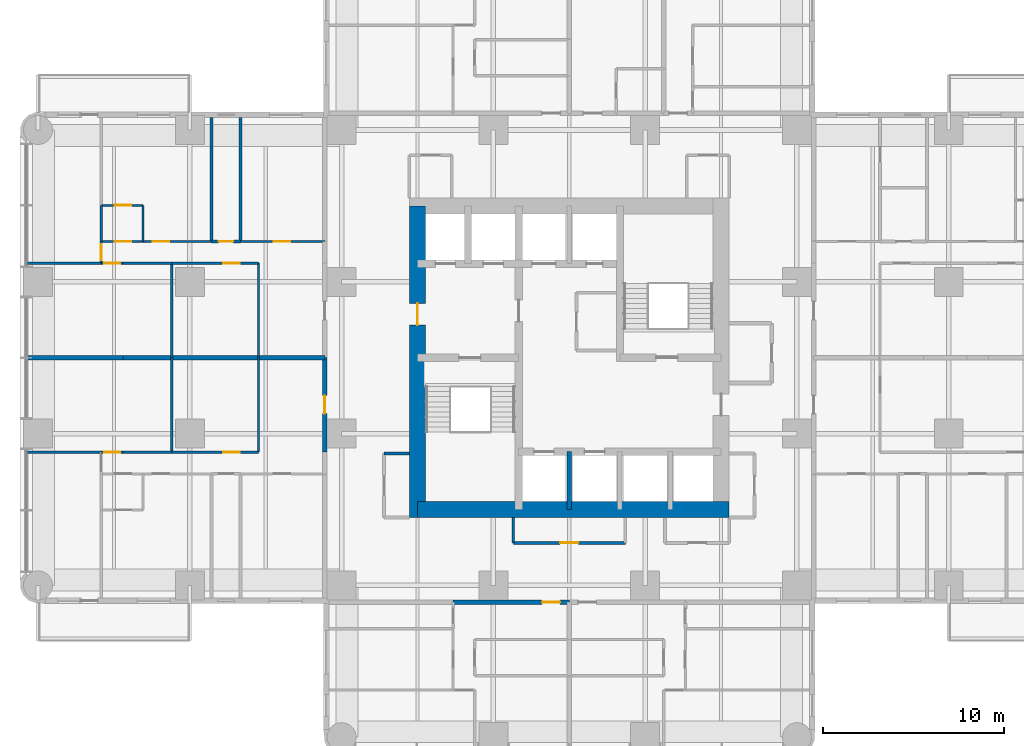
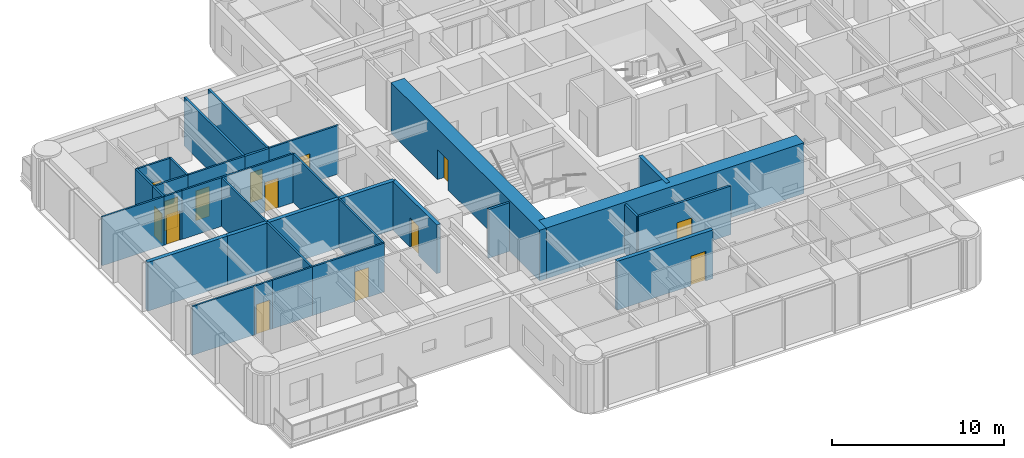
# One storey, part 7 of 15: 34 walls, 14 doors, 14 openings.
"""IFC4 building model written with IfcOpenShell, lengths in metres."""

from ifc_helpers import new_model, si_unit, direction, frame, frame_2d, origin, place, context, subcontext, project, spatial, rectangle, extrude, material, layer, layer_set, type_object, element, fill, save


model = new_model("IFC4")

# Units and contexts
model_context = context("Model", 3, precision=1e-05, world=origin(), true_north=direction((0.0, 1.0)))
body_context = subcontext(model_context, "Body", "Model", "MODEL_VIEW")
ifc_project = project(units=[si_unit("LENGTHUNIT", "METRE"), si_unit("AREAUNIT", "SQUARE_METRE"), si_unit("VOLUMEUNIT", "CUBIC_METRE"), si_unit("PLANEANGLEUNIT", "RADIAN"), si_unit("MASSUNIT", "GRAM", prefix="KILO")], contexts=[model_context])

# Site, building, storey
site_placement = place(None, origin())
site = spatial("IfcSite", under=ifc_project, at=site_placement, CompositionType="ELEMENT")
building_placement = place(site_placement, origin())
building = spatial("IfcBuilding", under=site, at=building_placement, Name="Torre Alcanfor", CompositionType="ELEMENT")
storey_placement = place(building_placement, frame((0.0, 0.0, 144.89990234375)))
storey = spatial("IfcBuildingStorey", under=building, at=storey_placement, Name="L37", CompositionType="ELEMENT", Elevation=144.89990234375)

# Wall, opening, door
ifc_material_1 = material(Name="Concrete block masonry, hollow blocks NMX-C-404 9 MPa", Category="masonry")
ifc_layer_1 = layer(ifc_material_1, 0.25)
ifc_layer_set_1 = layer_set([ifc_layer_1], Name="Apartment entrance wall 250 EI 60")
wall_type_1 = type_object("IfcWallType", Name="Apartment entrance wall 250 EI 60", PredefinedType="PARTITIONING", material=ifc_layer_set_1)
wall_1_placement = place(storey_placement, frame((29.39990234375, 15.875, 0.0), z_axis=(0.0, 0.0, 1.0), x_axis=(-1.0, 0.0, 0.0)))
wall_1 = element("IfcWall", 1, at=wall_1_placement, inside=storey, type_object=wall_type_1, Name="Partition L37-CORR / L37-S2-LIVING", PredefinedType="PARTITIONING", context=body_context, shape_type="SweptSolid", body=[
    extrude(rectangle(XDim=6.428955078125, YDim=0.25, at=frame_2d((3.21435546875, 0.0))), origin(), (0.0, 0.0, 1.0), 3.4501953125),
])
opening_1_placement = place(wall_1_placement, frame((0.5, 0.0, 0.0)))
opening_1 = element("IfcOpeningElement", 2, at=opening_1_placement, cuts=wall_1, Name="Opening D-A1", PredefinedType="OPENING", context=body_context, shape_type="SweptSolid", body=[
    extrude(rectangle(XDim=1.0, YDim=2.10009765625, at=frame_2d((0.5, 1.050048828125))), frame((0.0, 0.135009765625, 0.0), z_axis=(0.0, -1.0, 0.0), x_axis=(1.0, 0.0, 0.0)), (0.0, 0.0, 1.0), 0.27001953125),
])
ifc_material_2 = material(Name="Galvanised steel sheet ASTM A653", Category="steel")
door_type_1 = type_object("IfcDoorType", Name="Apartment entrance door FD60 1000x2100", OperationType="SINGLE_SWING_LEFT", PredefinedType="DOOR", material=ifc_material_2)
door_1_placement = place(opening_1_placement, origin())
door_1 = element("IfcDoor", 3, at=door_1_placement, inside=storey, type_object=door_type_1, Name="Apartment entrance L37-S2", OperationType="SINGLE_SWING_LEFT", OverallHeight=2.10009765625, OverallWidth=1.0, PredefinedType="DOOR", context=body_context, shape_type="SweptSolid", body=[
    extrude(rectangle(XDim=1.0, YDim=2.10009765625, at=frame_2d((0.5, 1.050048828125))), frame((0.0, 0.02490234375, 0.0), z_axis=(0.0, -1.0, 0.0), x_axis=(1.0, 0.0, 0.0)), (0.0, 0.0, 1.0), 0.050048828125),
])
fill(opening_1, door_1)

wall_2_placement = place(storey_placement, frame((15.875, 24.1708984375, 0.0), z_axis=(0.0, 0.0, 1.0), x_axis=(0.0, 1.0, 0.0)))
wall_2 = element("IfcWall", 4, at=wall_2_placement, inside=storey, type_object=wall_type_1, Name="Partition L37-CORR / L37-W1-ZAG", PredefinedType="PARTITIONING", context=body_context, shape_type="SweptSolid", body=[
    extrude(rectangle(XDim=5.22900390625, YDim=0.25, at=frame_2d((2.614501953125, 0.0))), origin(), (0.0, 0.0, 1.0), 3.4501953125),
])
opening_2_placement = place(wall_2_placement, frame((2.12890625, 0.0, 0.0)))
opening_2 = element("IfcOpeningElement", 5, at=opening_2_placement, cuts=wall_2, Name="Opening D-A1", PredefinedType="OPENING", context=body_context, shape_type="SweptSolid", body=[
    extrude(rectangle(XDim=1.0, YDim=2.10009765625, at=frame_2d((0.5, 1.050048828125))), frame((0.0, 0.135009765625, 0.0), z_axis=(0.0, -1.0, 0.0), x_axis=(1.0, 0.0, 0.0)), (0.0, 0.0, 1.0), 0.27001953125),
])
door_2_placement = place(opening_2_placement, origin())
door_2 = element("IfcDoor", 6, at=door_2_placement, inside=storey, type_object=door_type_1, Name="Apartment entrance L37-W1", OperationType="SINGLE_SWING_RIGHT", OverallHeight=2.10009765625, OverallWidth=1.0, PredefinedType="DOOR", context=body_context, shape_type="SweptSolid", body=[
    extrude(rectangle(XDim=1.0, YDim=2.10009765625, at=frame_2d((0.5, 1.050048828125))), frame((0.0, 0.02490234375, 0.0), z_axis=(0.0, -1.0, 0.0), x_axis=(1.0, 0.0, 0.0)), (0.0, 0.0, 1.0), 0.050048828125),
])
fill(opening_2, door_2)

# Walls
ifc_material_3 = material(Name="Gypsum board on steel studs", Category="steel")
ifc_layer_2 = layer(ifc_material_3, 0.1201171875)
ifc_layer_set_2 = layer_set([ifc_layer_2], Name="Apartment partition 120")
wall_type_2 = type_object("IfcWallType", Name="Apartment partition 120", PredefinedType="PARTITIONING", material=ifc_layer_set_2)
for number, where, z_axis, x_axis, name in (
    (7, (12.199951171875, 29.39990234375, 0.0), (0.0, 0.0, 1.0), (0.0, -1.0, 0.0), "Partition L37-W1-ZAG / L37-W1-FAMILY"),
    (8, (7.39990234375, 29.39990234375, 0.0), (0.0, 0.0, 1.0), (0.0, -1.0, 0.0), "Partition L37-W1-FAMILY / L37-W1-KITCHEN"),
):
    element("IfcWall", number, at=place(storey_placement, frame(where, z_axis=z_axis, x_axis=x_axis)), inside=storey, type_object=wall_type_2, Name=name, PredefinedType="PARTITIONING", context=body_context, shape_type="SweptSolid", body=[
        extrude(rectangle(XDim=5.22900390625, YDim=0.1201171875, at=frame_2d((2.614501953125, 0.0))), origin(), (0.0, 0.0, 1.0), 3.4501953125),
    ])

# Wall, opening, door
wall_3_placement = place(storey_placement, frame((7.39990234375, 24.1708984375, 0.0), z_axis=(0.0, 0.0, 1.0), x_axis=(1.0, 0.0, 0.0)))
wall_3 = element("IfcWall", 9, at=wall_3_placement, inside=storey, type_object=wall_type_2, Name="Partition L37-W1-FAMILY / L37-W1-HALL", PredefinedType="PARTITIONING", context=body_context, shape_type="SweptSolid", body=[
    extrude(rectangle(XDim=4.800048828125, YDim=0.1201171875, at=frame_2d((2.39990234375, 0.0))), origin(), (0.0, 0.0, 1.0), 3.4501953125),
])
opening_3_placement = place(wall_3_placement, frame((2.85009765625, 0.0, 0.0)))
opening_3 = element("IfcOpeningElement", 10, at=opening_3_placement, cuts=wall_3, Name="Opening D-R1", PredefinedType="OPENING", context=body_context, shape_type="SweptSolid", body=[
    extrude(rectangle(XDim=0.89990234375, YDim=2.10009765625, at=frame_2d((0.449951171875, 1.050048828125))), frame((0.0, 0.070068359375, 0.0), z_axis=(0.0, -1.0, 0.0), x_axis=(1.0, 0.0, 0.0)), (0.0, 0.0, 1.0), 0.14013671875),
])
ifc_material_4 = material(Name="Timber", Category="wood")
door_type_2 = type_object("IfcDoorType", Name="Internal door 900x2100", OperationType="SINGLE_SWING_LEFT", PredefinedType="DOOR", material=ifc_material_4)
door_3_placement = place(opening_3_placement, origin())
door_3 = element("IfcDoor", 11, at=door_3_placement, inside=storey, type_object=door_type_2, Name="Door L37-W1 family", OperationType="SINGLE_SWING_RIGHT", OverallHeight=2.10009765625, OverallWidth=0.89990234375, PredefinedType="DOOR", context=body_context, shape_type="SweptSolid", body=[
    extrude(rectangle(XDim=0.89990234375, YDim=2.10009765625, at=frame_2d((0.449951171875, 1.050048828125))), frame((0.0, 0.02490234375, 0.0), z_axis=(0.0, -1.0, 0.0), x_axis=(1.0, 0.0, 0.0)), (0.0, 0.0, 1.0), 0.050048828125),
])
fill(opening_3, door_3)

# Wall
wall_4_placement = place(storey_placement, frame((4.699951171875, 24.1708984375, 0.0), z_axis=(0.0, 0.0, 1.0), x_axis=(1.0, 0.0, 0.0)))
element("IfcWall", 12, at=wall_4_placement, inside=storey, type_object=wall_type_2, Name="Partition L37-W1-KITCHEN / L37-W1-HALL", PredefinedType="PARTITIONING", context=body_context, shape_type="SweptSolid", body=[
    extrude(rectangle(XDim=2.699951171875, YDim=0.1201171875, at=frame_2d((1.35009765625, 0.0))), origin(), (0.0, 0.0, 1.0), 3.4501953125),
])

# Wall, opening, door
wall_5_placement = place(storey_placement, frame((3.5, 24.1708984375, 0.0), z_axis=(0.0, 0.0, 1.0), x_axis=(1.0, 0.0, 0.0)))
wall_5 = element("IfcWall", 13, at=wall_5_placement, inside=storey, type_object=wall_type_2, Name="Partition L37-W1-LIVING / L37-W1-HALL", PredefinedType="PARTITIONING", context=body_context, shape_type="SweptSolid", body=[
    extrude(rectangle(XDim=1.199951171875, YDim=0.1201171875, at=frame_2d((0.60009765625, 0.0))), origin(), (0.0, 0.0, 1.0), 3.4501953125),
])
opening_4_placement = place(wall_5_placement, frame((0.14990234375, 0.0, 0.0)))
opening_4 = element("IfcOpeningElement", 14, at=opening_4_placement, cuts=wall_5, Name="Opening D-R1", PredefinedType="OPENING", context=body_context, shape_type="SweptSolid", body=[
    extrude(rectangle(XDim=0.89990234375, YDim=2.10009765625, at=frame_2d((0.449951171875, 1.050048828125))), frame((0.0, 0.070068359375, 0.0), z_axis=(0.0, -1.0, 0.0), x_axis=(1.0, 0.0, 0.0)), (0.0, 0.0, 1.0), 0.14013671875),
])
door_4_placement = place(opening_4_placement, origin())
door_4 = element("IfcDoor", 15, at=door_4_placement, inside=storey, type_object=door_type_2, Name="Door L37-W1 living", OperationType="SINGLE_SWING_RIGHT", OverallHeight=2.10009765625, OverallWidth=0.89990234375, PredefinedType="DOOR", context=body_context, shape_type="SweptSolid", body=[
    extrude(rectangle(XDim=0.89990234375, YDim=2.10009765625, at=frame_2d((0.449951171875, 1.050048828125))), frame((0.0, 0.02490234375, 0.0), z_axis=(0.0, -1.0, 0.0), x_axis=(1.0, 0.0, 0.0)), (0.0, 0.0, 1.0), 0.050048828125),
])
fill(opening_4, door_4)

# Walls
wall_6_placement = place(storey_placement, frame((-0.64990234375, 24.1708984375, 0.0), z_axis=(0.0, 0.0, 1.0), x_axis=(1.0, 0.0, 0.0)))
element("IfcWall", 16, at=wall_6_placement, inside=storey, type_object=wall_type_2, Name="Partition L37-W1-LIVING / L37-W1-WGARD", PredefinedType="PARTITIONING", context=body_context, shape_type="SweptSolid", body=[
    extrude(rectangle(XDim=4.14990234375, YDim=0.1201171875, at=frame_2d((2.074951171875, 0.0))), origin(), (0.0, 0.0, 1.0), 3.4501953125),
])
for number, where, z_axis, x_axis, name in (
    (17, (12.199951171875, 29.39990234375, 0.0), (0.0, 0.0, 1.0), (0.0, 1.0, 0.0), "Partition L37-W2-ZAG / L37-W2-FAMILY"),
    (18, (7.39990234375, 29.39990234375, 0.0), (0.0, 0.0, 1.0), (0.0, 1.0, 0.0), "Partition L37-W2-FAMILY / L37-W2-KITCHEN"),
):
    element("IfcWall", number, at=place(storey_placement, frame(where, z_axis=z_axis, x_axis=x_axis)), inside=storey, type_object=wall_type_2, Name=name, PredefinedType="PARTITIONING", context=body_context, shape_type="SweptSolid", body=[
        extrude(rectangle(XDim=5.22900390625, YDim=0.1201171875, at=frame_2d((2.614501953125, 0.0))), origin(), (0.0, 0.0, 1.0), 3.4501953125),
    ])

# Wall, opening, door
wall_7_placement = place(storey_placement, frame((7.39990234375, 34.62890625, 0.0), z_axis=(0.0, 0.0, 1.0), x_axis=(1.0, 0.0, 0.0)))
wall_7 = element("IfcWall", 19, at=wall_7_placement, inside=storey, type_object=wall_type_2, Name="Partition L37-W2-FAMILY / L37-W2-HALL", PredefinedType="PARTITIONING", context=body_context, shape_type="SweptSolid", body=[
    extrude(rectangle(XDim=4.800048828125, YDim=0.1201171875, at=frame_2d((2.39990234375, 0.0))), origin(), (0.0, 0.0, 1.0), 3.4501953125),
])
opening_5_placement = place(wall_7_placement, frame((2.85009765625, 0.0, 0.0)))
opening_5 = element("IfcOpeningElement", 20, at=opening_5_placement, cuts=wall_7, Name="Opening D-R1", PredefinedType="OPENING", context=body_context, shape_type="SweptSolid", body=[
    extrude(rectangle(XDim=0.89990234375, YDim=2.10009765625, at=frame_2d((0.449951171875, 1.050048828125))), frame((0.0, 0.070068359375, 0.0), z_axis=(0.0, -1.0, 0.0), x_axis=(1.0, 0.0, 0.0)), (0.0, 0.0, 1.0), 0.14013671875),
])
door_5_placement = place(opening_5_placement, frame((0.89990234375, 0.0, 0.0), z_axis=(0.0, 0.0, 1.0), x_axis=(-1.0, 0.0, 0.0)))
door_5 = element("IfcDoor", 21, at=door_5_placement, inside=storey, type_object=door_type_2, Name="Door L37-W2 family", OperationType="SINGLE_SWING_LEFT", OverallHeight=2.10009765625, OverallWidth=0.89990234375, PredefinedType="DOOR", context=body_context, shape_type="SweptSolid", body=[
    extrude(rectangle(XDim=0.89990234375, YDim=2.10009765625, at=frame_2d((0.449951171875, 1.050048828125))), frame((0.0, 0.025146484375, 0.0), z_axis=(0.0, -1.0, 0.0), x_axis=(1.0, 0.0, 0.0)), (0.0, 0.0, 1.0), 0.050048828125),
])
fill(opening_5, door_5)

# Wall
wall_8_placement = place(storey_placement, frame((4.699951171875, 34.62890625, 0.0), z_axis=(0.0, 0.0, 1.0), x_axis=(1.0, 0.0, 0.0)))
element("IfcWall", 22, at=wall_8_placement, inside=storey, type_object=wall_type_2, Name="Partition L37-W2-KITCHEN / L37-W2-HALL", PredefinedType="PARTITIONING", context=body_context, shape_type="SweptSolid", body=[
    extrude(rectangle(XDim=2.699951171875, YDim=0.1201171875, at=frame_2d((1.35009765625, 0.0))), origin(), (0.0, 0.0, 1.0), 3.4501953125),
])

# Wall, opening, door
wall_9_placement = place(storey_placement, frame((3.5, 34.62890625, 0.0), z_axis=(0.0, 0.0, 1.0), x_axis=(1.0, 0.0, 0.0)))
wall_9 = element("IfcWall", 23, at=wall_9_placement, inside=storey, type_object=wall_type_2, Name="Partition L37-W2-LIVING / L37-W2-HALL", PredefinedType="PARTITIONING", context=body_context, shape_type="SweptSolid", body=[
    extrude(rectangle(XDim=1.199951171875, YDim=0.1201171875, at=frame_2d((0.60009765625, 0.0))), origin(), (0.0, 0.0, 1.0), 3.4501953125),
])
opening_6_placement = place(wall_9_placement, frame((0.14990234375, 0.0, 0.0)))
opening_6 = element("IfcOpeningElement", 24, at=opening_6_placement, cuts=wall_9, Name="Opening D-R1", PredefinedType="OPENING", context=body_context, shape_type="SweptSolid", body=[
    extrude(rectangle(XDim=0.89990234375, YDim=2.10009765625, at=frame_2d((0.449951171875, 1.050048828125))), frame((0.0, 0.070068359375, 0.0), z_axis=(0.0, -1.0, 0.0), x_axis=(1.0, 0.0, 0.0)), (0.0, 0.0, 1.0), 0.14013671875),
])
door_6_placement = place(opening_6_placement, frame((0.89990234375, 0.0, 0.0), z_axis=(0.0, 0.0, 1.0), x_axis=(-1.0, 0.0, 0.0)))
door_6 = element("IfcDoor", 25, at=door_6_placement, inside=storey, type_object=door_type_2, Name="Door L37-W2 living", OperationType="SINGLE_SWING_LEFT", OverallHeight=2.10009765625, OverallWidth=0.89990234375, PredefinedType="DOOR", context=body_context, shape_type="SweptSolid", body=[
    extrude(rectangle(XDim=0.89990234375, YDim=2.10009765625, at=frame_2d((0.449951171875, 1.050048828125))), frame((0.0, 0.025146484375, 0.0), z_axis=(0.0, -1.0, 0.0), x_axis=(1.0, 0.0, 0.0)), (0.0, 0.0, 1.0), 0.050048828125),
])
fill(opening_6, door_6)

# Wall
wall_10_placement = place(storey_placement, frame((-0.64990234375, 34.62890625, 0.0), z_axis=(0.0, 0.0, 1.0), x_axis=(1.0, 0.0, 0.0)))
element("IfcWall", 26, at=wall_10_placement, inside=storey, type_object=wall_type_2, Name="Partition L37-W2-LIVING / L37-W2-WGARD", PredefinedType="PARTITIONING", context=body_context, shape_type="SweptSolid", body=[
    extrude(rectangle(XDim=4.14990234375, YDim=0.1201171875, at=frame_2d((2.074951171875, 0.0))), origin(), (0.0, 0.0, 1.0), 3.4501953125),
])

# Wall, opening, door
wall_11_placement = place(storey_placement, frame((11.199951171875, 35.8291015625, 0.0), z_axis=(0.0, 0.0, 1.0), x_axis=(1.0, 0.0, 0.0)))
wall_11 = element("IfcWall", 27, at=wall_11_placement, inside=storey, type_object=wall_type_2, Name="Partition L37-W2-HALL / L37-W2-BED2", PredefinedType="PARTITIONING", context=body_context, shape_type="SweptSolid", body=[
    extrude(rectangle(XDim=4.675048828125, YDim=0.1201171875, at=frame_2d((2.33740234375, 0.0))), origin(), (0.0, 0.0, 1.0), 3.4501953125),
])
opening_7_placement = place(wall_11_placement, frame((1.85009765625, 0.0, 0.0)))
opening_7 = element("IfcOpeningElement", 28, at=opening_7_placement, cuts=wall_11, Name="Opening D-R1", PredefinedType="OPENING", context=body_context, shape_type="SweptSolid", body=[
    extrude(rectangle(XDim=0.89990234375, YDim=2.10009765625, at=frame_2d((0.449951171875, 1.050048828125))), frame((0.0, 0.070068359375, 0.0), z_axis=(0.0, -1.0, 0.0), x_axis=(1.0, 0.0, 0.0)), (0.0, 0.0, 1.0), 0.14013671875),
])
door_7_placement = place(opening_7_placement, origin())
door_7 = element("IfcDoor", 29, at=door_7_placement, inside=storey, type_object=door_type_2, Name="Door L37-W2 bed2", OperationType="SINGLE_SWING_LEFT", OverallHeight=2.10009765625, OverallWidth=0.89990234375, PredefinedType="DOOR", context=body_context, shape_type="SweptSolid", body=[
    extrude(rectangle(XDim=0.89990234375, YDim=2.10009765625, at=frame_2d((0.449951171875, 1.050048828125))), frame((0.0, 0.02490234375, 0.0), z_axis=(0.0, -1.0, 0.0), x_axis=(1.0, 0.0, 0.0)), (0.0, 0.0, 1.0), 0.050048828125),
])
fill(opening_7, door_7)

wall_12_placement = place(storey_placement, frame((5.800048828125, 35.8291015625, 0.0), z_axis=(0.0, 0.0, 1.0), x_axis=(1.0, 0.0, 0.0)))
wall_12 = element("IfcWall", 30, at=wall_12_placement, inside=storey, type_object=wall_type_2, Name="Partition L37-W2-HALL / L37-W2-MASTER", PredefinedType="PARTITIONING", context=body_context, shape_type="SweptSolid", body=[
    extrude(rectangle(XDim=3.800048828125, YDim=0.1201171875, at=frame_2d((1.89990234375, 0.0))), origin(), (0.0, 0.0, 1.0), 3.4501953125),
])
opening_8_placement = place(wall_12_placement, frame((0.550048828125, 0.0, 0.0)))
opening_8 = element("IfcOpeningElement", 31, at=opening_8_placement, cuts=wall_12, Name="Opening D-R1", PredefinedType="OPENING", context=body_context, shape_type="SweptSolid", body=[
    extrude(rectangle(XDim=0.89990234375, YDim=2.10009765625, at=frame_2d((0.449951171875, 1.050048828125))), frame((0.0, 0.070068359375, 0.0), z_axis=(0.0, -1.0, 0.0), x_axis=(1.0, 0.0, 0.0)), (0.0, 0.0, 1.0), 0.14013671875),
])
door_8_placement = place(opening_8_placement, origin())
door_8 = element("IfcDoor", 32, at=door_8_placement, inside=storey, type_object=door_type_2, Name="Door L37-W2 master", OperationType="SINGLE_SWING_LEFT", OverallHeight=2.10009765625, OverallWidth=0.89990234375, PredefinedType="DOOR", context=body_context, shape_type="SweptSolid", body=[
    extrude(rectangle(XDim=0.89990234375, YDim=2.10009765625, at=frame_2d((0.449951171875, 1.050048828125))), frame((0.0, 0.02490234375, 0.0), z_axis=(0.0, -1.0, 0.0), x_axis=(1.0, 0.0, 0.0)), (0.0, 0.0, 1.0), 0.050048828125),
])
fill(opening_8, door_8)

wall_13_placement = place(storey_placement, frame((3.5, 35.8291015625, 0.0), z_axis=(0.0, 0.0, 1.0), x_axis=(1.0, 0.0, 0.0)))
wall_13 = element("IfcWall", 33, at=wall_13_placement, inside=storey, type_object=wall_type_2, Name="Partition L37-W2-HALL / L37-W2-VEST", PredefinedType="PARTITIONING", context=body_context, shape_type="SweptSolid", body=[
    extrude(rectangle(XDim=2.300048828125, YDim=0.1201171875, at=frame_2d((1.14990234375, 0.0))), origin(), (0.0, 0.0, 1.0), 3.4501953125),
])
opening_9_placement = place(wall_13_placement, frame((0.75, 0.0, 0.0)))
opening_9 = element("IfcOpeningElement", 34, at=opening_9_placement, cuts=wall_13, Name="Opening D-R1", PredefinedType="OPENING", context=body_context, shape_type="SweptSolid", body=[
    extrude(rectangle(XDim=0.89990234375, YDim=2.10009765625, at=frame_2d((0.449951171875, 1.050048828125))), frame((0.0, 0.070068359375, 0.0), z_axis=(0.0, -1.0, 0.0), x_axis=(1.0, 0.0, 0.0)), (0.0, 0.0, 1.0), 0.14013671875),
])
door_9_placement = place(opening_9_placement, origin())
door_9 = element("IfcDoor", 35, at=door_9_placement, inside=storey, type_object=door_type_2, Name="Door L37-W2 vest", OperationType="SINGLE_SWING_RIGHT", OverallHeight=2.10009765625, OverallWidth=0.89990234375, PredefinedType="DOOR", context=body_context, shape_type="SweptSolid", body=[
    extrude(rectangle(XDim=0.89990234375, YDim=2.10009765625, at=frame_2d((0.449951171875, 1.050048828125))), frame((0.0, 0.02490234375, 0.0), z_axis=(0.0, -1.0, 0.0), x_axis=(1.0, 0.0, 0.0)), (0.0, 0.0, 1.0), 0.050048828125),
])
fill(opening_9, door_9)

wall_14_placement = place(storey_placement, frame((3.5, 34.62890625, 0.0), z_axis=(0.0, 0.0, 1.0), x_axis=(0.0, 1.0, 0.0)))
wall_14 = element("IfcWall", 36, at=wall_14_placement, inside=storey, type_object=wall_type_2, Name="Partition L37-W2-HALL / L37-W2-WGARD", PredefinedType="PARTITIONING", context=body_context, shape_type="SweptSolid", body=[
    extrude(rectangle(XDim=1.2001953125, YDim=0.1201171875, at=frame_2d((0.60009765625, 0.0))), origin(), (0.0, 0.0, 1.0), 3.4501953125),
])
opening_10_placement = place(wall_14_placement, frame((0.15087890625, 0.0, 0.0)))
opening_10 = element("IfcOpeningElement", 37, at=opening_10_placement, cuts=wall_14, Name="Opening D-R1", PredefinedType="OPENING", context=body_context, shape_type="SweptSolid", body=[
    extrude(rectangle(XDim=0.89990234375, YDim=2.10009765625, at=frame_2d((0.449951171875, 1.050048828125))), frame((0.0, 0.070068359375, 0.0), z_axis=(0.0, -1.0, 0.0), x_axis=(1.0, 0.0, 0.0)), (0.0, 0.0, 1.0), 0.14013671875),
])
door_10_placement = place(opening_10_placement, origin())
door_10 = element("IfcDoor", 38, at=door_10_placement, inside=storey, type_object=door_type_2, Name="Door L37-W2 wgard", OperationType="SINGLE_SWING_LEFT", OverallHeight=2.10009765625, OverallWidth=0.89990234375, PredefinedType="DOOR", context=body_context, shape_type="SweptSolid", body=[
    extrude(rectangle(XDim=0.89990234375, YDim=2.10009765625, at=frame_2d((0.449951171875, 1.050048828125))), frame((0.0, 0.02490234375, 0.0), z_axis=(0.0, -1.0, 0.0), x_axis=(1.0, 0.0, 0.0)), (0.0, 0.0, 1.0), 0.050048828125),
])
fill(opening_10, door_10)

# Wall
wall_15_placement = place(storey_placement, frame((5.800048828125, 35.8291015625, 0.0), z_axis=(0.0, 0.0, 1.0), x_axis=(0.0, 1.0, 0.0)))
element("IfcWall", 39, at=wall_15_placement, inside=storey, type_object=wall_type_2, Name="Partition L37-W2-MASTER / L37-W2-VEST", PredefinedType="PARTITIONING", context=body_context, shape_type="SweptSolid", body=[
    extrude(rectangle(XDim=2.0, YDim=0.1201171875, at=frame_2d((1.0, 0.0))), origin(), (0.0, 0.0, 1.0), 3.4501953125),
])

# Wall, opening, door
wall_16_placement = place(storey_placement, frame((5.800048828125, 37.8291015625, 0.0), z_axis=(0.0, 0.0, 1.0), x_axis=(-1.0, 0.0, 0.0)))
wall_16 = element("IfcWall", 40, at=wall_16_placement, inside=storey, type_object=wall_type_2, Name="Partition L37-W2-MASTER / L37-W2-VEST", PredefinedType="PARTITIONING", context=body_context, shape_type="SweptSolid", body=[
    extrude(rectangle(XDim=2.300048828125, YDim=0.1201171875, at=frame_2d((1.14990234375, 0.0))), origin(), (0.0, 0.0, 1.0), 3.4501953125),
])
opening_11_placement = place(wall_16_placement, frame((0.64990234375, 0.0, 0.0)))
opening_11 = element("IfcOpeningElement", 41, at=opening_11_placement, cuts=wall_16, Name="Opening D-R1", PredefinedType="OPENING", context=body_context, shape_type="SweptSolid", body=[
    extrude(rectangle(XDim=0.89990234375, YDim=2.10009765625, at=frame_2d((0.449951171875, 1.050048828125))), frame((0.0, 0.070068359375, 0.0), z_axis=(0.0, -1.0, 0.0), x_axis=(1.0, 0.0, 0.0)), (0.0, 0.0, 1.0), 0.14013671875),
])
door_11_placement = place(opening_11_placement, origin())
door_11 = element("IfcDoor", 42, at=door_11_placement, inside=storey, type_object=door_type_2, Name="Door L37-W2 master", OperationType="SINGLE_SWING_LEFT", OverallHeight=2.10009765625, OverallWidth=0.89990234375, PredefinedType="DOOR", context=body_context, shape_type="SweptSolid", body=[
    extrude(rectangle(XDim=0.89990234375, YDim=2.10009765625, at=frame_2d((0.449951171875, 1.050048828125))), frame((0.0, 0.02490234375, 0.0), z_axis=(0.0, -1.0, 0.0), x_axis=(1.0, 0.0, 0.0)), (0.0, 0.0, 1.0), 0.050048828125),
])
fill(opening_11, door_11)

# Walls
wall_17_placement = place(storey_placement, frame((3.5, 35.8291015625, 0.0), z_axis=(0.0, 0.0, 1.0), x_axis=(0.0, 1.0, 0.0)))
element("IfcWall", 43, at=wall_17_placement, inside=storey, type_object=wall_type_2, Name="Partition L37-W2-VEST / L37-W2-WGARD", PredefinedType="PARTITIONING", context=body_context, shape_type="SweptSolid", body=[
    extrude(rectangle(XDim=2.0, YDim=0.1201171875, at=frame_2d((1.0, 0.0))), origin(), (0.0, 0.0, 1.0), 3.4501953125),
])
ifc_material_5 = material(Name="Concrete f'c 70 MPa", Category="concrete")
ifc_layer_3 = layer(ifc_material_5, 0.25)
ifc_layer_set_3 = layer_set([ifc_layer_3], Name="Core shaft wall 250 f'c70")
wall_type_3 = type_object("IfcWallType", Name="Core shaft wall 250 f'c70", PredefinedType="SHEAR", material=ifc_layer_set_3)
wall_18_placement = place(storey_placement, frame((29.39990234375, 21.0, 0.0), z_axis=(0.0, 0.0, 1.0), x_axis=(0.0, 1.0, 0.0)))
element("IfcWall", 44, at=wall_18_placement, inside=storey, type_object=wall_type_3, Name="Core wall X294S L37", PredefinedType="SHEAR", context=body_context, shape_type="SweptSolid", body=[
    extrude(rectangle(XDim=3.199951171875, YDim=0.25, at=frame_2d((1.60009765625, 0.0))), origin(), (0.0, 0.0, 1.0), 3.60009765625),
])
ifc_material_6 = material(Name="Concrete f'c 70 MPa", Category="concrete")
ifc_layer_4 = layer(ifc_material_6, 0.89990234375)
ifc_layer_set_4 = layer_set([ifc_layer_4], Name="Core wall 900 f'c70")
wall_type_4 = type_object("IfcWallType", Name="Core wall 900 f'c70", PredefinedType="SHEAR", material=ifc_layer_set_4)
wall_19_placement = place(storey_placement, frame((21.0, 21.0, 0.0), z_axis=(0.0, 0.0, 1.0), x_axis=(1.0, 0.0, 0.0)))
element("IfcWall", 45, at=wall_19_placement, inside=storey, type_object=wall_type_4, Name="Core wall OUT-S L37", PredefinedType="SHEAR", context=body_context, shape_type="SweptSolid", body=[
    extrude(rectangle(XDim=17.25, YDim=0.89990234375, at=frame_2d((8.625, 0.0))), origin(), (0.0, 0.0, 1.0), 3.60009765625),
])

# Wall, opening, door
wall_20_placement = place(storey_placement, frame((21.0, 37.800048828125, 0.0), z_axis=(0.0, 0.0, 1.0), x_axis=(0.0, -1.0, 0.0)))
wall_20 = element("IfcWall", 46, at=wall_20_placement, inside=storey, type_object=wall_type_4, Name="Core wall OUT-W L37", PredefinedType="SHEAR", context=body_context, shape_type="SweptSolid", body=[
    extrude(rectangle(XDim=17.25, YDim=0.89990234375, at=frame_2d((8.625, 0.0))), origin(), (0.0, 0.0, 1.0), 3.60009765625),
])
opening_12_placement = place(wall_20_placement, frame((5.39990234375, 0.0, 0.0)))
opening_12 = element("IfcOpeningElement", 47, at=opening_12_placement, cuts=wall_20, Name="Opening D-L1", PredefinedType="OPENING", context=body_context, shape_type="SweptSolid", body=[
    extrude(rectangle(XDim=1.199951171875, YDim=2.10009765625, at=frame_2d((0.60009765625, 1.050048828125))), frame((0.0, 0.4599609375, 0.0), z_axis=(0.0, -1.0, 0.0), x_axis=(1.0, 0.0, 0.0)), (0.0, 0.0, 1.0), 0.919921875),
])
ifc_material_7 = material(Name="Galvanised steel sheet ASTM A653", Category="steel")
door_type_3 = type_object("IfcDoorType", Name="Lobby door FD120 1200x2100", OperationType="SINGLE_SWING_LEFT", PredefinedType="DOOR", material=ifc_material_7)
door_12_placement = place(opening_12_placement, origin())
door_12 = element("IfcDoor", 48, at=door_12_placement, inside=storey, type_object=door_type_3, Name="Firefighting lobby door L37", OperationType="SINGLE_SWING_LEFT", OverallHeight=2.10009765625, OverallWidth=1.199951171875, PredefinedType="DOOR", context=body_context, shape_type="SweptSolid", body=[
    extrude(rectangle(XDim=1.199951171875, YDim=2.10009765625, at=frame_2d((0.60009765625, 1.050048828125))), frame((0.0, 0.02490234375, 0.0), z_axis=(0.0, -1.0, 0.0), x_axis=(1.0, 0.0, 0.0)), (0.0, 0.0, 1.0), 0.050048828125),
])
fill(opening_12, door_12)

# Walls
ifc_material_8 = material(Name="Concrete block masonry, hollow blocks NMX-C-404 9 MPa", Category="masonry")
ifc_layer_5 = layer(ifc_material_8, 0.25)
ifc_layer_set_5 = layer_set([ifc_layer_5], Name="Party wall 250 EI 60")
wall_type_5 = type_object("IfcWallType", Name="Party wall 250 EI 60", PredefinedType="PARTITIONING", material=ifc_layer_set_5)
wall_21_placement = place(storey_placement, frame((15.875, 29.39990234375, 0.0), z_axis=(0.0, 0.0, 1.0), x_axis=(-1.0, 0.0, 0.0)))
element("IfcWall", 49, at=wall_21_placement, inside=storey, type_object=wall_type_5, Name="Partition L37-W1-ZAG / L37-W2-ZAG", PredefinedType="PARTITIONING", context=body_context, shape_type="SweptSolid", body=[
    extrude(rectangle(XDim=3.675048828125, YDim=0.25, at=frame_2d((1.83740234375, 0.0))), origin(), (0.0, 0.0, 1.0), 3.4501953125),
])
wall_22_placement = place(storey_placement, frame((12.199951171875, 29.39990234375, 0.0), z_axis=(0.0, 0.0, 1.0), x_axis=(-1.0, 0.0, 0.0)))
element("IfcWall", 50, at=wall_22_placement, inside=storey, type_object=wall_type_5, Name="Partition L37-W1-FAMILY / L37-W2-FAMILY", PredefinedType="PARTITIONING", context=body_context, shape_type="SweptSolid", body=[
    extrude(rectangle(XDim=4.800048828125, YDim=0.25, at=frame_2d((2.39990234375, 0.0))), origin(), (0.0, 0.0, 1.0), 3.4501953125),
])
wall_23_placement = place(storey_placement, frame((7.39990234375, 29.39990234375, 0.0), z_axis=(0.0, 0.0, 1.0), x_axis=(-1.0, 0.0, 0.0)))
element("IfcWall", 51, at=wall_23_placement, inside=storey, type_object=wall_type_5, Name="Partition L37-W1-KITCHEN / L37-W2-KITCHEN", PredefinedType="PARTITIONING", context=body_context, shape_type="SweptSolid", body=[
    extrude(rectangle(XDim=2.699951171875, YDim=0.25, at=frame_2d((1.35009765625, 0.0))), origin(), (0.0, 0.0, 1.0), 3.4501953125),
])
wall_24_placement = place(storey_placement, frame((4.699951171875, 29.39990234375, 0.0), z_axis=(0.0, 0.0, 1.0), x_axis=(-1.0, 0.0, 0.0)))
element("IfcWall", 52, at=wall_24_placement, inside=storey, type_object=wall_type_5, Name="Partition L37-W1-LIVING / L37-W2-LIVING", PredefinedType="PARTITIONING", context=body_context, shape_type="SweptSolid", body=[
    extrude(rectangle(XDim=5.349853515625, YDim=0.25, at=frame_2d((2.6748046875, 0.0))), origin(), (0.0, 0.0, 1.0), 3.4501953125),
])
ifc_material_9 = material(Name="Concrete block masonry, hollow blocks NMX-C-404 9 MPa", Category="masonry")
ifc_layer_6 = layer(ifc_material_9, 0.14990234375)
ifc_layer_set_6 = layer_set([ifc_layer_6], Name="Residents' room partition 150")
wall_type_6 = type_object("IfcWallType", Name="Residents' room partition 150", PredefinedType="PARTITIONING", material=ifc_layer_set_6)
wall_25_placement = place(storey_placement, frame((26.300048828125, 20.550048828125, 0.0), z_axis=(0.0, 0.0, 1.0), x_axis=(0.0, -1.0, 0.0)))
element("IfcWall", 53, at=wall_25_placement, inside=storey, type_object=wall_type_6, Name="Partition L37-CORR / L37-G05", PredefinedType="PARTITIONING", context=body_context, shape_type="SweptSolid", body=[
    extrude(rectangle(XDim=1.400146484375, YDim=0.14990234375, at=frame_2d((0.7001953125, 0.0))), origin(), (0.0, 0.0, 1.0), 3.4501953125),
])

# Wall, opening, door
wall_26_placement = place(storey_placement, frame((26.300048828125, 19.14990234375, 0.0), z_axis=(0.0, 0.0, 1.0), x_axis=(1.0, 0.0, 0.0)))
wall_26 = element("IfcWall", 54, at=wall_26_placement, inside=storey, type_object=wall_type_6, Name="Partition L37-CORR / L37-G05", PredefinedType="PARTITIONING", context=body_context, shape_type="SweptSolid", body=[
    extrude(rectangle(XDim=6.199951171875, YDim=0.14990234375, at=frame_2d((3.10009765625, 0.0))), origin(), (0.0, 0.0, 1.0), 3.4501953125),
])
opening_13_placement = place(wall_26_placement, frame((2.60009765625, 0.0, 0.0)))
opening_13 = element("IfcOpeningElement", 55, at=opening_13_placement, cuts=wall_26, Name="Opening D-M1", PredefinedType="OPENING", context=body_context, shape_type="SweptSolid", body=[
    extrude(rectangle(XDim=1.0, YDim=2.10009765625, at=frame_2d((0.5, 1.050048828125))), frame((0.0, 0.0849609375, 0.0), z_axis=(0.0, -1.0, 0.0), x_axis=(1.0, 0.0, 0.0)), (0.0, 0.0, 1.0), 0.169921875),
])
ifc_material_10 = material(Name="Timber", Category="wood")
door_type_4 = type_object("IfcDoorType", Name="Residents' room door 1000x2100", OperationType="SINGLE_SWING_LEFT", PredefinedType="DOOR", material=ifc_material_10)
door_13_placement = place(opening_13_placement, origin())
door_13 = element("IfcDoor", 56, at=door_13_placement, inside=storey, type_object=door_type_4, Name="Door L37-G05 residents' storage lockers", OperationType="SINGLE_SWING_LEFT", OverallHeight=2.10009765625, OverallWidth=1.0, PredefinedType="DOOR", context=body_context, shape_type="SweptSolid", body=[
    extrude(rectangle(XDim=1.0, YDim=2.10009765625, at=frame_2d((0.5, 1.050048828125))), frame((0.0, 0.02490234375, 0.0), z_axis=(0.0, -1.0, 0.0), x_axis=(1.0, 0.0, 0.0)), (0.0, 0.0, 1.0), 0.050048828125),
])
fill(opening_13, door_13)

# Wall
wall_27_placement = place(storey_placement, frame((20.550048828125, 24.10009765625, 0.0), z_axis=(0.0, 0.0, 1.0), x_axis=(-1.0, 0.0, 0.0)))
element("IfcWall", 57, at=wall_27_placement, inside=storey, type_object=wall_type_6, Name="Partition L37-CORR / L37-G07", PredefinedType="PARTITIONING", context=body_context, shape_type="SweptSolid", body=[
    extrude(rectangle(XDim=1.400146484375, YDim=0.14990234375, at=frame_2d((0.7001953125, 0.0))), origin(), (0.0, 0.0, 1.0), 3.4501953125),
])

# Wall, opening, door
ifc_material_11 = material(Name="Cement board on steel studs", Category="steel")
ifc_layer_7 = layer(ifc_material_11, 0.14990234375)
ifc_layer_set_7 = layer_set([ifc_layer_7], Name="Wet area partition 150")
wall_type_7 = type_object("IfcWallType", Name="Wet area partition 150", PredefinedType="PARTITIONING", material=ifc_layer_set_7)
wall_28_placement = place(storey_placement, frame((9.60009765625, 35.8291015625, 0.0), z_axis=(0.0, 0.0, 1.0), x_axis=(1.0, 0.0, 0.0)))
wall_28 = element("IfcWall", 58, at=wall_28_placement, inside=storey, type_object=wall_type_7, Name="Partition L37-W2-HALL / L37-W2-BATH1", PredefinedType="PARTITIONING", context=body_context, shape_type="SweptSolid", body=[
    extrude(rectangle(XDim=1.599853515625, YDim=0.14990234375, at=frame_2d((0.7998046875, 0.0))), origin(), (0.0, 0.0, 1.0), 3.4501953125),
])
opening_14_placement = place(wall_28_placement, frame((0.39990234375, 0.0, 0.0)))
opening_14 = element("IfcOpeningElement", 59, at=opening_14_placement, cuts=wall_28, Name="Opening D-R2", PredefinedType="OPENING", context=body_context, shape_type="SweptSolid", body=[
    extrude(rectangle(XDim=0.800048828125, YDim=2.10009765625, at=frame_2d((0.39990234375, 1.050048828125))), frame((0.0, 0.0849609375, 0.0), z_axis=(0.0, -1.0, 0.0), x_axis=(1.0, 0.0, 0.0)), (0.0, 0.0, 1.0), 0.169921875),
])
ifc_material_12 = material(Name="Timber", Category="wood")
door_type_5 = type_object("IfcDoorType", Name="Bathroom door 800x2100", OperationType="SINGLE_SWING_LEFT", PredefinedType="DOOR", material=ifc_material_12)
door_14_placement = place(opening_14_placement, origin())
door_14 = element("IfcDoor", 60, at=door_14_placement, inside=storey, type_object=door_type_5, Name="Door L37-W2 bath1", OperationType="SINGLE_SWING_LEFT", OverallHeight=2.10009765625, OverallWidth=0.800048828125, PredefinedType="DOOR", context=body_context, shape_type="SweptSolid", body=[
    extrude(rectangle(XDim=0.800048828125, YDim=2.10009765625, at=frame_2d((0.39990234375, 1.050048828125))), frame((0.0, 0.02490234375, 0.0), z_axis=(0.0, -1.0, 0.0), x_axis=(1.0, 0.0, 0.0)), (0.0, 0.0, 1.0), 0.050048828125),
])
fill(opening_14, door_14)

# Walls
for number, where, z_axis, x_axis, name in (
    (61, (11.199951171875, 35.8291015625, 0.0), (0.0, 0.0, 1.0), (0.0, 1.0, 0.0), "Partition L37-W2-BED2 / L37-W2-BATH1"),
    (62, (9.60009765625, 35.8291015625, 0.0), (0.0, 0.0, 1.0), (0.0, 1.0, 0.0), "Partition L37-W2-BATH1 / L37-W2-MASTER"),
):
    element("IfcWall", number, at=place(storey_placement, frame(where, z_axis=z_axis, x_axis=x_axis)), inside=storey, type_object=wall_type_7, Name=name, PredefinedType="PARTITIONING", context=body_context, shape_type="SweptSolid", body=[
        extrude(rectangle(XDim=6.870849609375, YDim=0.14990234375, at=frame_2d((3.435546875, 0.0))), origin(), (0.0, 0.0, 1.0), 3.4501953125),
    ])

save(model, "model.ifc")
